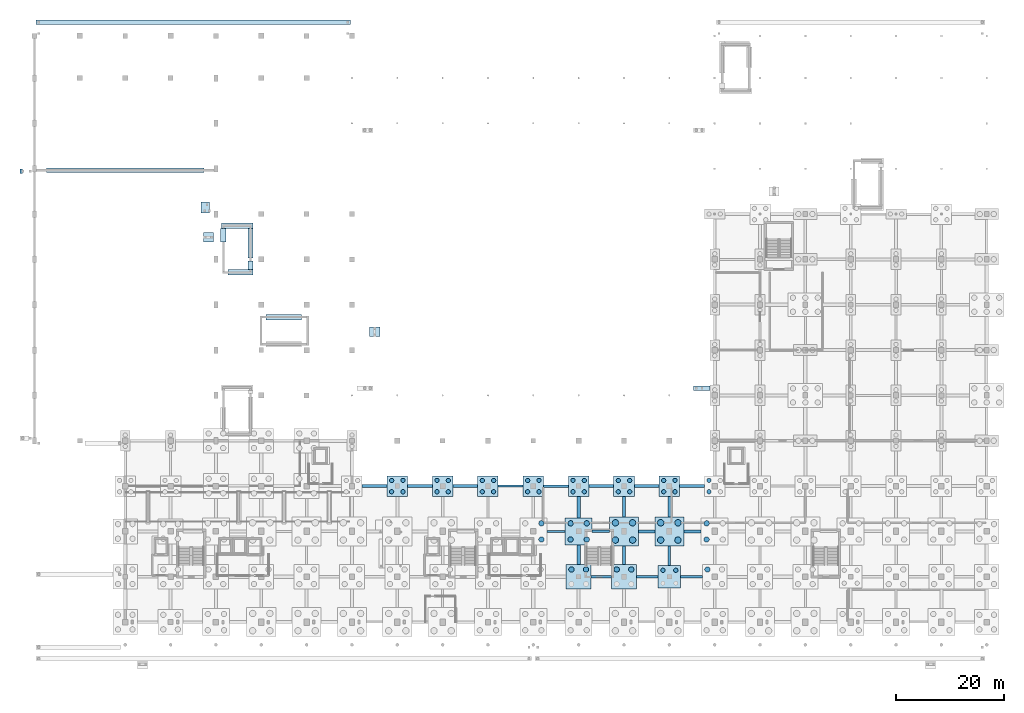
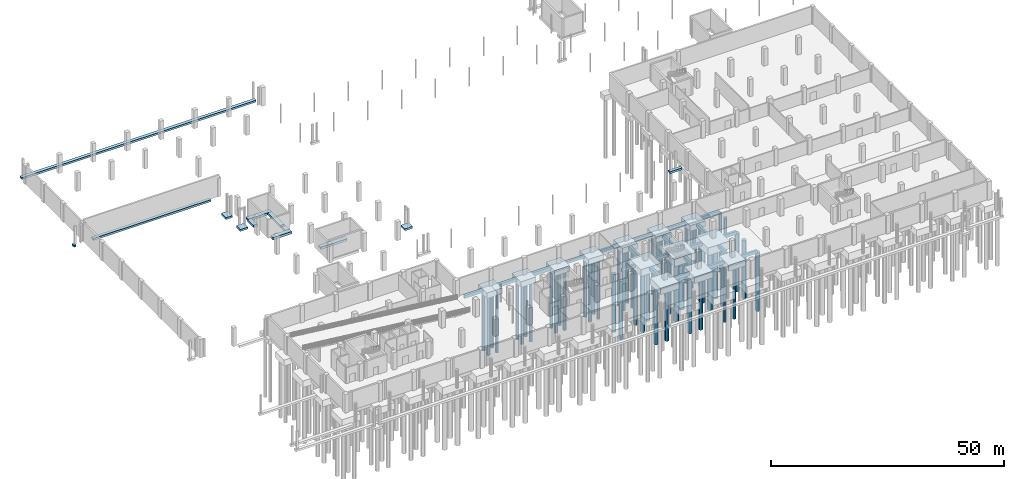
# One storey, part 4 of 39: 53 piles, 47 footings.
"""IFC4 building model written with IfcOpenShell, lengths in metres."""

from ifc_helpers import new_model, si_unit, derived_unit, direction, frame, origin, origin_2d, place, context, subcontext, project, spatial, polyline, rectangle, circle, outline, extrude, material, material_profile, profile_set, type_object, element, save


model = new_model("IFC4")

# Units and contexts
model_context = context("Model", 3, precision=1e-05, world=origin(), true_north=direction((0.0, 1.0)))
body_context = subcontext(model_context, "Body", "Model", "MODEL_VIEW")
ifc_project = project(units=[si_unit("LENGTHUNIT", "METRE"), si_unit("AREAUNIT", "SQUARE_METRE"), si_unit("VOLUMEUNIT", "CUBIC_METRE"), si_unit("PLANEANGLEUNIT", "RADIAN"), si_unit("MASSUNIT", "GRAM", prefix="KILO"), derived_unit("THERMALTRANSMITTANCEUNIT", [(si_unit("POWERUNIT", "WATT"), 1), (si_unit("LENGTHUNIT", "METRE"), -2), (si_unit("THERMODYNAMICTEMPERATUREUNIT", "KELVIN"), -1)])], contexts=[model_context])

# Site, building, storey
site_placement = place(None, origin())
site = spatial("IfcSite", under=ifc_project, at=site_placement, CompositionType="ELEMENT")
building_placement = place(site_placement, origin())
building = spatial("IfcBuilding", under=site, at=building_placement, Name="Barrovel Congress Hotel", CompositionType="ELEMENT")
storey_placement = place(building_placement, frame((0.0, 0.0, -4.5)))
storey = spatial("IfcBuildingStorey", under=building, at=storey_placement, Name="B01", CompositionType="ELEMENT", Elevation=-4.5)

# Footings
ifc_material_1 = material(Name="Concrete C40", Category="concrete")
footing_type_1 = type_object("IfcFootingType", Name="CAP-PC-07", PredefinedType="PILE_CAP", material=ifc_material_1)
for number, where, z_axis, x_axis, name in (
    (1, (67.199951171875, 29.39990234375, -1.860107421875), (0.0, 0.0, 1.0), (1.0, 0.0, 0.0), "CAP:B01:67.2:29.4"),
    (2, (75.60009765625, 29.39990234375, -1.860107421875), (0.0, 0.0, 1.0), (1.0, 0.0, 0.0), "CAP:B01:75.6:29.4"),
    (3, (84.0, 29.39990234375, -1.860107421875), (0.0, 0.0, 1.0), (1.0, 0.0, 0.0), "CAP:B01:84.0:29.4"),
    (4, (92.39990234375, 29.39990234375, -1.860107421875), (0.0, 0.0, 1.0), (1.0, 0.0, 0.0), "CAP:B01:92.4:29.4"),
    (5, (100.800048828125, 29.39990234375, -1.860107421875), (0.0, 0.0, 1.0), (1.0, 0.0, 0.0), "CAP:B01:100.8:29.4"),
    (6, (109.199951171875, 29.39990234375, -1.860107421875), (0.0, 0.0, 1.0), (1.0, 0.0, 0.0), "CAP:B01:109.2:29.4"),
    (7, (117.60009765625, 29.39990234375, -1.860107421875), (0.0, 0.0, 1.0), (1.0, 0.0, 0.0), "CAP:B01:117.6:29.4"),
):
    element("IfcFooting", number, at=place(storey_placement, frame(where, z_axis=z_axis, x_axis=x_axis)), inside=storey, type_object=footing_type_1, Name=name, PredefinedType="PILE_CAP", context=body_context, shape_type="SweptSolid", body=[
        extrude(rectangle(XDim=3.800048828125, YDim=3.800048828125, at=origin_2d()), origin(), (0.0, 0.0, 1.0), 1.5),
    ])
footing_type_2 = type_object("IfcFootingType", Name="CAP-PC-08", PredefinedType="PILE_CAP", material=ifc_material_1)
footing_1_placement = place(storey_placement, frame((117.60009765625, 12.60009765625, -1.9599609375), z_axis=(0.0, 0.0, 1.0), x_axis=(1.0, 0.0, 0.0)))
element("IfcFooting", 8, at=footing_1_placement, inside=storey, type_object=footing_type_2, Name="CAP:B01:117.6:12.6", PredefinedType="PILE_CAP", context=body_context, shape_type="SweptSolid", body=[
    extrude(rectangle(XDim=4.199951171875, YDim=4.199951171875, at=origin_2d()), origin(), (0.0, 0.0, 1.0), 1.60009765625),
])
footing_type_3 = type_object("IfcFootingType", Name="CAP-PC-09", PredefinedType="PILE_CAP", material=ifc_material_1)
for number, where, z_axis, x_axis, name in (
    (9, (100.800048828125, 12.60009765625, -2.06005859375), (0.0, 0.0, 1.0), (1.0, 0.0, 0.0), "CAP:B01:100.8:12.6"),
    (10, (109.199951171875, 12.60009765625, -2.06005859375), (0.0, 0.0, 1.0), (1.0, 0.0, 0.0), "CAP:B01:109.2:12.6"),
):
    element("IfcFooting", number, at=place(storey_placement, frame(where, z_axis=z_axis, x_axis=x_axis)), inside=storey, type_object=footing_type_3, Name=name, PredefinedType="PILE_CAP", context=body_context, shape_type="SweptSolid", body=[
        extrude(rectangle(XDim=4.60009765625, YDim=4.60009765625, at=origin_2d()), origin(), (0.0, 0.0, 1.0), 1.699951171875),
    ])
footing_type_4 = type_object("IfcFootingType", Name="CAP-PC-10", PredefinedType="PILE_CAP", material=ifc_material_1)
footing_2_placement = place(storey_placement, frame((100.800048828125, 21.0, -2.16015625), z_axis=(0.0, 0.0, 1.0), x_axis=(1.0, 0.0, 0.0)))
element("IfcFooting", 11, at=footing_2_placement, inside=storey, type_object=footing_type_4, Name="CAP:B01:100.8:21.0", PredefinedType="PILE_CAP", context=body_context, shape_type="SweptSolid", body=[
    extrude(rectangle(XDim=5.0, YDim=5.0, at=origin_2d()), origin(), (0.0, 0.0, 1.0), 1.800048828125),
])
footing_type_5 = type_object("IfcFootingType", Name="CAP-PC-11", PredefinedType="PILE_CAP", material=ifc_material_1)
for number, where, z_axis, x_axis, name in (
    (12, (109.199951171875, 21.0, -2.360107421875), (0.0, 0.0, 1.0), (1.0, 0.0, 0.0), "CAP:B01:109.2:21.0"),
    (13, (117.60009765625, 21.0, -2.360107421875), (0.0, 0.0, 1.0), (1.0, 0.0, 0.0), "CAP:B01:117.6:21.0"),
):
    element("IfcFooting", number, at=place(storey_placement, frame(where, z_axis=z_axis, x_axis=x_axis)), inside=storey, type_object=footing_type_5, Name=name, PredefinedType="PILE_CAP", context=body_context, shape_type="SweptSolid", body=[
        extrude(rectangle(XDim=5.39990234375, YDim=5.39990234375, at=origin_2d()), origin(), (0.0, 0.0, 1.0), 2.0),
    ])
footing_type_6 = type_object("IfcFootingType", Name="FB-400x700", PredefinedType="FOOTING_BEAM", material=ifc_material_1)
footing_3_placement = place(storey_placement, frame((0.0, 0.0, -1.06005859375)))
element("IfcFooting", 14, at=footing_3_placement, inside=storey, type_object=footing_type_6, Name="FBX:B01:12.6:100.8-109.2", PredefinedType="FOOTING_BEAM", context=body_context, shape_type="SweptSolid", body=[
    extrude(outline(polyline([(103.10009765625, 12.39990234375), (106.89990234375, 12.39990234375), (106.89990234375, 12.800048828125), (103.10009765625, 12.800048828125), (103.10009765625, 12.39990234375)])), origin(), (0.0, 0.0, 1.0), 0.699951171875),
])
footing_4_placement = place(storey_placement, frame((0.0, 0.0, -1.06005859375)))
element("IfcFooting", 15, at=footing_4_placement, inside=storey, type_object=footing_type_6, Name="FBX:B01:21.0:92.4-100.8", PredefinedType="FOOTING_BEAM", context=body_context, shape_type="SweptSolid", body=[
    extrude(outline(polyline([(94.89990234375, 20.800048828125), (98.300048828125, 20.800048828125), (98.300048828125, 21.199951171875), (94.89990234375, 21.199951171875), (94.89990234375, 20.800048828125)])), origin(), (0.0, 0.0, 1.0), 0.699951171875),
])
footing_5_placement = place(storey_placement, frame((0.0, 0.0, -1.06005859375)))
element("IfcFooting", 16, at=footing_5_placement, inside=storey, type_object=footing_type_6, Name="FBX:B01:29.4:84.0-92.4", PredefinedType="FOOTING_BEAM", context=body_context, shape_type="SweptSolid", body=[
    extrude(outline(polyline([(85.89990234375, 29.199951171875), (90.5, 29.199951171875), (90.5, 29.60009765625), (85.89990234375, 29.60009765625), (85.89990234375, 29.199951171875)])), origin(), (0.0, 0.0, 1.0), 0.699951171875),
])
footing_type_7 = type_object("IfcFootingType", Name="FB-450x750", PredefinedType="FOOTING_BEAM", material=ifc_material_1)
footing_6_placement = place(storey_placement, frame((0.0, 0.0, -1.110107421875)))
element("IfcFooting", 17, at=footing_6_placement, inside=storey, type_object=footing_type_7, Name="FBX:B01:12.6:109.2-117.6", PredefinedType="FOOTING_BEAM", context=body_context, shape_type="SweptSolid", body=[
    extrude(outline(polyline([(111.5, 12.375), (115.5, 12.375), (115.5, 12.824951171875), (111.5, 12.824951171875), (111.5, 12.375)])), origin(), (0.0, 0.0, 1.0), 0.75),
])
footing_7_placement = place(storey_placement, frame((0.0, 0.0, -1.110107421875)))
element("IfcFooting", 18, at=footing_7_placement, inside=storey, type_object=footing_type_7, Name="FBX:B01:21.0:100.8-109.2", PredefinedType="FOOTING_BEAM", context=body_context, shape_type="SweptSolid", body=[
    extrude(outline(polyline([(103.300048828125, 20.77490234375), (106.5, 20.77490234375), (106.5, 21.22509765625), (103.300048828125, 21.22509765625), (103.300048828125, 20.77490234375)])), origin(), (0.0, 0.0, 1.0), 0.75),
])
footing_8_placement = place(storey_placement, frame((0.0, 0.0, -1.110107421875)))
element("IfcFooting", 19, at=footing_8_placement, inside=storey, type_object=footing_type_7, Name="FBX:B01:29.4:92.4-100.8", PredefinedType="FOOTING_BEAM", context=body_context, shape_type="SweptSolid", body=[
    extrude(outline(polyline([(94.300048828125, 29.175048828125), (98.89990234375, 29.175048828125), (98.89990234375, 29.625), (94.300048828125, 29.625), (94.300048828125, 29.175048828125)])), origin(), (0.0, 0.0, 1.0), 0.75),
])
footing_type_8 = type_object("IfcFootingType", Name="FB-500x800", PredefinedType="FOOTING_BEAM", material=ifc_material_1)
footing_9_placement = place(storey_placement, frame((0.0, 0.0, -1.159912109375)))
element("IfcFooting", 20, at=footing_9_placement, inside=storey, type_object=footing_type_8, Name="FBX:B01:12.6:117.6-126.0", PredefinedType="FOOTING_BEAM", context=body_context, shape_type="SweptSolid", body=[
    extrude(outline(polyline([(119.699951171875, 12.35009765625), (123.699951171875, 12.35009765625), (123.699951171875, 12.85009765625), (119.699951171875, 12.85009765625), (119.699951171875, 12.35009765625)])), origin(), (0.0, 0.0, 1.0), 0.7998046875),
])
footing_10_placement = place(storey_placement, frame((0.0, 0.0, -1.159912109375)))
element("IfcFooting", 21, at=footing_10_placement, inside=storey, type_object=footing_type_8, Name="FBX:B01:21.0:109.2-117.6", PredefinedType="FOOTING_BEAM", context=body_context, shape_type="SweptSolid", body=[
    extrude(outline(polyline([(111.89990234375, 20.75), (114.89990234375, 20.75), (114.89990234375, 21.25), (111.89990234375, 21.25), (111.89990234375, 20.75)])), origin(), (0.0, 0.0, 1.0), 0.7998046875),
])
footing_11_placement = place(storey_placement, frame((0.0, 0.0, -1.159912109375)))
element("IfcFooting", 22, at=footing_11_placement, inside=storey, type_object=footing_type_8, Name="FBX:B01:29.4:100.8-109.2", PredefinedType="FOOTING_BEAM", context=body_context, shape_type="SweptSolid", body=[
    extrude(outline(polyline([(102.699951171875, 29.14990234375), (107.300048828125, 29.14990234375), (107.300048828125, 29.64990234375), (102.699951171875, 29.64990234375), (102.699951171875, 29.14990234375)])), origin(), (0.0, 0.0, 1.0), 0.7998046875),
])
footing_12_placement = place(storey_placement, frame((0.0, 0.0, -1.159912109375)))
element("IfcFooting", 23, at=footing_12_placement, inside=storey, type_object=footing_type_8, Name="FBY:B01:117.6:12.6-21.0", PredefinedType="FOOTING_BEAM", context=body_context, shape_type="SweptSolid", body=[
    extrude(outline(polyline([(117.35009765625, 14.699951171875), (117.85009765625, 14.699951171875), (117.85009765625, 18.300048828125), (117.35009765625, 18.300048828125), (117.35009765625, 14.699951171875)])), origin(), (0.0, 0.0, 1.0), 0.7998046875),
])
footing_type_9 = type_object("IfcFootingType", Name="FB-550x850", PredefinedType="FOOTING_BEAM", material=ifc_material_1)
footing_13_placement = place(storey_placement, frame((0.0, 0.0, -1.2099609375)))
element("IfcFooting", 24, at=footing_13_placement, inside=storey, type_object=footing_type_9, Name="FBX:B01:21.0:117.6-126.0", PredefinedType="FOOTING_BEAM", context=body_context, shape_type="SweptSolid", body=[
    extrude(outline(polyline([(120.300048828125, 20.72509765625), (123.5, 20.72509765625), (123.5, 21.27490234375), (120.300048828125, 21.27490234375), (120.300048828125, 20.72509765625)])), origin(), (0.0, 0.0, 1.0), 0.849853515625),
])
footing_14_placement = place(storey_placement, frame((0.0, 0.0, -1.2099609375)))
element("IfcFooting", 25, at=footing_14_placement, inside=storey, type_object=footing_type_9, Name="FBX:B01:29.4:58.8-67.2", PredefinedType="FOOTING_BEAM", context=body_context, shape_type="SweptSolid", body=[
    extrude(outline(polyline([(60.699951171875, 29.125), (65.300048828125, 29.125), (65.300048828125, 29.675048828125), (60.699951171875, 29.675048828125), (60.699951171875, 29.125)])), origin(), (0.0, 0.0, 1.0), 0.849853515625),
])
footing_15_placement = place(storey_placement, frame((0.0, 0.0, -1.2099609375)))
element("IfcFooting", 26, at=footing_15_placement, inside=storey, type_object=footing_type_9, Name="FBX:B01:29.4:109.2-117.6", PredefinedType="FOOTING_BEAM", context=body_context, shape_type="SweptSolid", body=[
    extrude(outline(polyline([(111.10009765625, 29.125), (115.699951171875, 29.125), (115.699951171875, 29.675048828125), (111.10009765625, 29.675048828125), (111.10009765625, 29.125)])), origin(), (0.0, 0.0, 1.0), 0.849853515625),
])
footing_16_placement = place(storey_placement, frame((0.0, 0.0, -1.2099609375)))
element("IfcFooting", 27, at=footing_16_placement, inside=storey, type_object=footing_type_9, Name="FBY:B01:109.2:12.6-21.0", PredefinedType="FOOTING_BEAM", context=body_context, shape_type="SweptSolid", body=[
    extrude(outline(polyline([(108.925048828125, 14.89990234375), (109.47509765625, 14.89990234375), (109.47509765625, 18.300048828125), (108.925048828125, 18.300048828125), (108.925048828125, 14.89990234375)])), origin(), (0.0, 0.0, 1.0), 0.849853515625),
])
footing_17_placement = place(storey_placement, frame((0.0, 0.0, -1.2099609375)))
element("IfcFooting", 28, at=footing_17_placement, inside=storey, type_object=footing_type_9, Name="FBY:B01:117.6:21.0-29.4", PredefinedType="FOOTING_BEAM", context=body_context, shape_type="SweptSolid", body=[
    extrude(outline(polyline([(117.324951171875, 23.699951171875), (117.875, 23.699951171875), (117.875, 27.5), (117.324951171875, 27.5), (117.324951171875, 23.699951171875)])), origin(), (0.0, 0.0, 1.0), 0.849853515625),
])
footing_type_10 = type_object("IfcFootingType", Name="FB-600x850", PredefinedType="FOOTING_BEAM", material=ifc_material_1)
footing_18_placement = place(storey_placement, frame((0.0, 0.0, -1.2099609375)))
element("IfcFooting", 29, at=footing_18_placement, inside=storey, type_object=footing_type_10, Name="FBX:B01:29.4:67.2-75.6", PredefinedType="FOOTING_BEAM", context=body_context, shape_type="SweptSolid", body=[
    extrude(outline(polyline([(69.10009765625, 29.10009765625), (73.699951171875, 29.10009765625), (73.699951171875, 29.699951171875), (69.10009765625, 29.699951171875), (69.10009765625, 29.10009765625)])), origin(), (0.0, 0.0, 1.0), 0.849853515625),
])
footing_19_placement = place(storey_placement, frame((0.0, 0.0, -1.2099609375)))
element("IfcFooting", 30, at=footing_19_placement, inside=storey, type_object=footing_type_10, Name="FBX:B01:29.4:117.6-126.0", PredefinedType="FOOTING_BEAM", context=body_context, shape_type="SweptSolid", body=[
    extrude(outline(polyline([(119.5, 29.10009765625), (124.10009765625, 29.10009765625), (124.10009765625, 29.699951171875), (119.5, 29.699951171875), (119.5, 29.10009765625)])), origin(), (0.0, 0.0, 1.0), 0.849853515625),
])
footing_20_placement = place(storey_placement, frame((0.0, 0.0, -1.2099609375)))
element("IfcFooting", 31, at=footing_20_placement, inside=storey, type_object=footing_type_10, Name="FBY:B01:100.8:12.6-21.0", PredefinedType="FOOTING_BEAM", context=body_context, shape_type="SweptSolid", body=[
    extrude(outline(polyline([(100.5, 14.89990234375), (101.10009765625, 14.89990234375), (101.10009765625, 18.5), (100.5, 18.5), (100.5, 14.89990234375)])), origin(), (0.0, 0.0, 1.0), 0.849853515625),
])
footing_21_placement = place(storey_placement, frame((0.0, 0.0, -1.2099609375)))
element("IfcFooting", 32, at=footing_21_placement, inside=storey, type_object=footing_type_10, Name="FBY:B01:109.2:21.0-29.4", PredefinedType="FOOTING_BEAM", context=body_context, shape_type="SweptSolid", body=[
    extrude(outline(polyline([(108.89990234375, 23.699951171875), (109.5, 23.699951171875), (109.5, 27.5), (108.89990234375, 27.5), (108.89990234375, 23.699951171875)])), origin(), (0.0, 0.0, 1.0), 0.849853515625),
])
footing_type_11 = type_object("IfcFootingType", Name="FB-600x950", PredefinedType="FOOTING_BEAM", material=ifc_material_1)
footing_22_placement = place(storey_placement, frame((0.0, 0.0, -1.31005859375)))
element("IfcFooting", 33, at=footing_22_placement, inside=storey, type_object=footing_type_11, Name="FBX:B01:29.4:75.6-84.0", PredefinedType="FOOTING_BEAM", context=body_context, shape_type="SweptSolid", body=[
    extrude(outline(polyline([(77.5, 29.10009765625), (82.10009765625, 29.10009765625), (82.10009765625, 29.699951171875), (77.5, 29.699951171875), (77.5, 29.10009765625)])), origin(), (0.0, 0.0, 1.0), 0.949951171875),
])
footing_23_placement = place(storey_placement, frame((0.0, 0.0, -1.31005859375)))
element("IfcFooting", 34, at=footing_23_placement, inside=storey, type_object=footing_type_11, Name="FBY:B01:100.8:21.0-29.4", PredefinedType="FOOTING_BEAM", context=body_context, shape_type="SweptSolid", body=[
    extrude(outline(polyline([(100.5, 23.5), (101.10009765625, 23.5), (101.10009765625, 27.5), (100.5, 27.5), (100.5, 23.5)])), origin(), (0.0, 0.0, 1.0), 0.949951171875),
])

# Piles
ifc_material_2 = material(Name="Concrete C35", Category="concrete")
ifc_material_profile_1 = material_profile(ifc_material_2, circle(Radius=0.5, at=origin_2d()), Name="BP-D1000")
ifc_profile_set_1 = profile_set([ifc_material_profile_1], Name="Concrete C35")
pile_type_1 = type_object("IfcPileType", Name="PILE-BP-D1000", PredefinedType="BORED", material=ifc_profile_set_1)
for number, where, z_axis, x_axis, name in (
    (35, (93.89990234375, 19.5, -2.159912109375), (0.0, 0.0, -1.0), (1.0, 0.0, 0.0), "PILE:B01:92.4:21.0:2"),
    (36, (93.89990234375, 22.5, -2.159912109375), (0.0, 0.0, -1.0), (1.0, 0.0, 0.0), "PILE:B01:92.4:21.0:4"),
):
    element("IfcPile", number, at=place(storey_placement, frame(where, z_axis=z_axis, x_axis=x_axis)), inside=storey, type_object=pile_type_1, Name=name, PredefinedType="BORED", context=body_context, shape_type="SweptSolid", body=[
        extrude(circle(Radius=0.5, at=origin_2d()), origin(), (0.0, 0.0, 1.0), 15.239990234375),
    ])
for number, where, z_axis, x_axis, name in (
    (37, (99.449951171875, 13.949951171875, -2.06005859375), (0.0, 0.0, -1.0), (1.0, 0.0, 0.0), "PILE:B01:100.8:12.6:3"),
    (38, (102.14990234375, 13.949951171875, -2.06005859375), (0.0, 0.0, -1.0), (1.0, 0.0, 0.0), "PILE:B01:100.8:12.6:4"),
):
    element("IfcPile", number, at=place(storey_placement, frame(where, z_axis=z_axis, x_axis=x_axis)), inside=storey, type_object=pile_type_1, Name=name, PredefinedType="BORED", context=body_context, shape_type="SweptSolid", body=[
        extrude(circle(Radius=0.5, at=origin_2d()), origin(), (0.0, 0.0, 1.0), 15.340087890625),
    ])
for number, where, z_axis, x_axis, name in (
    (39, (99.300048828125, 19.5, -2.159912109375), (0.0, 0.0, -1.0), (1.0, 0.0, 0.0), "PILE:B01:100.8:21.0:1"),
    (40, (102.300048828125, 19.5, -2.159912109375), (0.0, 0.0, -1.0), (1.0, 0.0, 0.0), "PILE:B01:100.8:21.0:2"),
    (41, (99.300048828125, 22.5, -2.159912109375), (0.0, 0.0, -1.0), (1.0, 0.0, 0.0), "PILE:B01:100.8:21.0:3"),
    (42, (102.300048828125, 22.5, -2.159912109375), (0.0, 0.0, -1.0), (1.0, 0.0, 0.0), "PILE:B01:100.8:21.0:4"),
):
    element("IfcPile", number, at=place(storey_placement, frame(where, z_axis=z_axis, x_axis=x_axis)), inside=storey, type_object=pile_type_1, Name=name, PredefinedType="BORED", context=body_context, shape_type="SweptSolid", body=[
        extrude(circle(Radius=0.5, at=origin_2d()), origin(), (0.0, 0.0, 1.0), 15.239990234375),
    ])
for number, where, z_axis, x_axis, name in (
    (43, (107.85009765625, 13.949951171875, -2.06005859375), (0.0, 0.0, -1.0), (1.0, 0.0, 0.0), "PILE:B01:109.2:12.6:3"),
    (44, (110.550048828125, 13.949951171875, -2.06005859375), (0.0, 0.0, -1.0), (1.0, 0.0, 0.0), "PILE:B01:109.2:12.6:4"),
    (45, (124.64990234375, 13.949951171875, -2.06005859375), (0.0, 0.0, -1.0), (1.0, 0.0, 0.0), "PILE:B01:126.0:12.6:3"),
):
    element("IfcPile", number, at=place(storey_placement, frame(where, z_axis=z_axis, x_axis=x_axis)), inside=storey, type_object=pile_type_1, Name=name, PredefinedType="BORED", context=body_context, shape_type="SweptSolid", body=[
        extrude(circle(Radius=0.5, at=origin_2d()), origin(), (0.0, 0.0, 1.0), 15.340087890625),
    ])
for number, where, z_axis, x_axis, name in (
    (46, (124.5, 19.5, -2.159912109375), (0.0, 0.0, -1.0), (1.0, 0.0, 0.0), "PILE:B01:126.0:21.0:1"),
    (47, (124.5, 22.5, -2.159912109375), (0.0, 0.0, -1.0), (1.0, 0.0, 0.0), "PILE:B01:126.0:21.0:3"),
):
    element("IfcPile", number, at=place(storey_placement, frame(where, z_axis=z_axis, x_axis=x_axis)), inside=storey, type_object=pile_type_1, Name=name, PredefinedType="BORED", context=body_context, shape_type="SweptSolid", body=[
        extrude(circle(Radius=0.5, at=origin_2d()), origin(), (0.0, 0.0, 1.0), 15.239990234375),
    ])
ifc_material_profile_2 = material_profile(ifc_material_2, circle(Radius=0.60009765625, at=origin_2d()), Name="BP-D1200")
ifc_profile_set_2 = profile_set([ifc_material_profile_2], Name="Concrete C35")
pile_type_2 = type_object("IfcPileType", Name="PILE-BP-D1200", PredefinedType="BORED", material=ifc_profile_set_2)
for number, where, z_axis, x_axis, name in (
    (48, (107.60009765625, 19.39990234375, -2.360107421875), (0.0, 0.0, -1.0), (1.0, 0.0, 0.0), "PILE:B01:109.2:21.0:1"),
    (49, (110.800048828125, 19.39990234375, -2.360107421875), (0.0, 0.0, -1.0), (1.0, 0.0, 0.0), "PILE:B01:109.2:21.0:2"),
    (50, (107.60009765625, 22.60009765625, -2.360107421875), (0.0, 0.0, -1.0), (1.0, 0.0, 0.0), "PILE:B01:109.2:21.0:3"),
    (51, (110.800048828125, 22.60009765625, -2.360107421875), (0.0, 0.0, -1.0), (1.0, 0.0, 0.0), "PILE:B01:109.2:21.0:4"),
    (52, (116.0, 19.39990234375, -2.360107421875), (0.0, 0.0, -1.0), (1.0, 0.0, 0.0), "PILE:B01:117.6:21.0:1"),
    (53, (119.199951171875, 19.39990234375, -2.360107421875), (0.0, 0.0, -1.0), (1.0, 0.0, 0.0), "PILE:B01:117.6:21.0:2"),
    (54, (116.0, 22.60009765625, -2.360107421875), (0.0, 0.0, -1.0), (1.0, 0.0, 0.0), "PILE:B01:117.6:21.0:3"),
    (55, (119.199951171875, 22.60009765625, -2.360107421875), (0.0, 0.0, -1.0), (1.0, 0.0, 0.0), "PILE:B01:117.6:21.0:4"),
):
    element("IfcPile", number, at=place(storey_placement, frame(where, z_axis=z_axis, x_axis=x_axis)), inside=storey, type_object=pile_type_2, Name=name, PredefinedType="BORED", context=body_context, shape_type="SweptSolid", body=[
        extrude(circle(Radius=0.60009765625, at=origin_2d()), origin(), (0.0, 0.0, 1.0), 15.0400390625),
    ])
ifc_material_profile_3 = material_profile(ifc_material_2, circle(Radius=0.39990234375, at=origin_2d()), Name="BP-D800")
ifc_profile_set_3 = profile_set([ifc_material_profile_3], Name="Concrete C35")
pile_type_3 = type_object("IfcPileType", Name="PILE-BP-D800", PredefinedType="BORED", material=ifc_profile_set_3)
for number, where, z_axis, x_axis, name in (
    (56, (66.14990234375, 28.35009765625, -1.860107421875), (0.0, 0.0, -1.0), (1.0, 0.0, 0.0), "PILE:B01:67.2:29.4:1"),
    (57, (68.25, 28.35009765625, -1.860107421875), (0.0, 0.0, -1.0), (1.0, 0.0, 0.0), "PILE:B01:67.2:29.4:2"),
    (58, (66.14990234375, 30.449951171875, -1.860107421875), (0.0, 0.0, -1.0), (1.0, 0.0, 0.0), "PILE:B01:67.2:29.4:3"),
    (59, (68.25, 30.449951171875, -1.860107421875), (0.0, 0.0, -1.0), (1.0, 0.0, 0.0), "PILE:B01:67.2:29.4:4"),
    (60, (74.550048828125, 28.35009765625, -1.860107421875), (0.0, 0.0, -1.0), (1.0, 0.0, 0.0), "PILE:B01:75.6:29.4:1"),
    (61, (76.64990234375, 28.35009765625, -1.860107421875), (0.0, 0.0, -1.0), (1.0, 0.0, 0.0), "PILE:B01:75.6:29.4:2"),
    (62, (74.550048828125, 30.449951171875, -1.860107421875), (0.0, 0.0, -1.0), (1.0, 0.0, 0.0), "PILE:B01:75.6:29.4:3"),
    (63, (76.64990234375, 30.449951171875, -1.860107421875), (0.0, 0.0, -1.0), (1.0, 0.0, 0.0), "PILE:B01:75.6:29.4:4"),
    (64, (82.949951171875, 28.35009765625, -1.860107421875), (0.0, 0.0, -1.0), (1.0, 0.0, 0.0), "PILE:B01:84.0:29.4:1"),
    (65, (85.050048828125, 28.35009765625, -1.860107421875), (0.0, 0.0, -1.0), (1.0, 0.0, 0.0), "PILE:B01:84.0:29.4:2"),
    (66, (82.949951171875, 30.449951171875, -1.860107421875), (0.0, 0.0, -1.0), (1.0, 0.0, 0.0), "PILE:B01:84.0:29.4:3"),
    (67, (85.050048828125, 30.449951171875, -1.860107421875), (0.0, 0.0, -1.0), (1.0, 0.0, 0.0), "PILE:B01:84.0:29.4:4"),
    (68, (91.35009765625, 28.35009765625, -1.860107421875), (0.0, 0.0, -1.0), (1.0, 0.0, 0.0), "PILE:B01:92.4:29.4:1"),
    (69, (93.449951171875, 28.35009765625, -1.860107421875), (0.0, 0.0, -1.0), (1.0, 0.0, 0.0), "PILE:B01:92.4:29.4:2"),
    (70, (91.35009765625, 30.449951171875, -1.860107421875), (0.0, 0.0, -1.0), (1.0, 0.0, 0.0), "PILE:B01:92.4:29.4:3"),
    (71, (93.449951171875, 30.449951171875, -1.860107421875), (0.0, 0.0, -1.0), (1.0, 0.0, 0.0), "PILE:B01:92.4:29.4:4"),
    (72, (99.75, 28.35009765625, -1.860107421875), (0.0, 0.0, -1.0), (1.0, 0.0, 0.0), "PILE:B01:100.8:29.4:1"),
    (73, (101.85009765625, 28.35009765625, -1.860107421875), (0.0, 0.0, -1.0), (1.0, 0.0, 0.0), "PILE:B01:100.8:29.4:2"),
    (74, (99.75, 30.449951171875, -1.860107421875), (0.0, 0.0, -1.0), (1.0, 0.0, 0.0), "PILE:B01:100.8:29.4:3"),
    (75, (101.85009765625, 30.449951171875, -1.860107421875), (0.0, 0.0, -1.0), (1.0, 0.0, 0.0), "PILE:B01:100.8:29.4:4"),
    (76, (108.14990234375, 28.35009765625, -1.860107421875), (0.0, 0.0, -1.0), (1.0, 0.0, 0.0), "PILE:B01:109.2:29.4:1"),
    (77, (110.25, 28.35009765625, -1.860107421875), (0.0, 0.0, -1.0), (1.0, 0.0, 0.0), "PILE:B01:109.2:29.4:2"),
    (78, (108.14990234375, 30.449951171875, -1.860107421875), (0.0, 0.0, -1.0), (1.0, 0.0, 0.0), "PILE:B01:109.2:29.4:3"),
    (79, (110.25, 30.449951171875, -1.860107421875), (0.0, 0.0, -1.0), (1.0, 0.0, 0.0), "PILE:B01:109.2:29.4:4"),
):
    element("IfcPile", number, at=place(storey_placement, frame(where, z_axis=z_axis, x_axis=x_axis)), inside=storey, type_object=pile_type_3, Name=name, PredefinedType="BORED", context=body_context, shape_type="SweptSolid", body=[
        extrude(circle(Radius=0.39990234375, at=origin_2d()), origin(), (0.0, 0.0, 1.0), 15.5400390625),
    ])
for number, where, z_axis, x_axis, name in (
    (80, (116.39990234375, 13.800048828125, -1.9599609375), (0.0, 0.0, -1.0), (1.0, 0.0, 0.0), "PILE:B01:117.6:12.6:3"),
    (81, (118.800048828125, 13.800048828125, -1.9599609375), (0.0, 0.0, -1.0), (1.0, 0.0, 0.0), "PILE:B01:117.6:12.6:4"),
):
    element("IfcPile", number, at=place(storey_placement, frame(where, z_axis=z_axis, x_axis=x_axis)), inside=storey, type_object=pile_type_3, Name=name, PredefinedType="BORED", context=body_context, shape_type="SweptSolid", body=[
        extrude(circle(Radius=0.39990234375, at=origin_2d()), origin(), (0.0, 0.0, 1.0), 15.43994140625),
    ])
for number, where, z_axis, x_axis, name in (
    (82, (116.550048828125, 28.35009765625, -1.860107421875), (0.0, 0.0, -1.0), (1.0, 0.0, 0.0), "PILE:B01:117.6:29.4:1"),
    (83, (118.64990234375, 28.35009765625, -1.860107421875), (0.0, 0.0, -1.0), (1.0, 0.0, 0.0), "PILE:B01:117.6:29.4:2"),
    (84, (116.550048828125, 30.449951171875, -1.860107421875), (0.0, 0.0, -1.0), (1.0, 0.0, 0.0), "PILE:B01:117.6:29.4:3"),
    (85, (118.64990234375, 30.449951171875, -1.860107421875), (0.0, 0.0, -1.0), (1.0, 0.0, 0.0), "PILE:B01:117.6:29.4:4"),
    (86, (124.949951171875, 28.35009765625, -1.860107421875), (0.0, 0.0, -1.0), (1.0, 0.0, 0.0), "PILE:B01:126.0:29.4:1"),
    (87, (124.949951171875, 30.449951171875, -1.860107421875), (0.0, 0.0, -1.0), (1.0, 0.0, 0.0), "PILE:B01:126.0:29.4:3"),
):
    element("IfcPile", number, at=place(storey_placement, frame(where, z_axis=z_axis, x_axis=x_axis)), inside=storey, type_object=pile_type_3, Name=name, PredefinedType="BORED", context=body_context, shape_type="SweptSolid", body=[
        extrude(circle(Radius=0.39990234375, at=origin_2d()), origin(), (0.0, 0.0, 1.0), 15.5400390625),
    ])

# Footings
footing_type_12 = type_object("IfcFootingType", Name="SF-1000x600", PredefinedType="STRIP_FOOTING", material=ifc_material_1)
footing_24_placement = place(storey_placement, frame((0.0, 0.0, -0.9599609375)))
element("IfcFooting", 88, at=footing_24_placement, inside=storey, type_object=footing_type_12, Name="SF:CORE:XS-05:N", PredefinedType="STRIP_FOOTING", context=body_context, shape_type="SweptSolid", body=[
    extrude(outline(polyline([(42.909912109375, 60.2099609375), (49.489990234375, 60.2099609375), (49.489990234375, 61.2099609375), (42.909912109375, 61.2099609375), (42.909912109375, 60.2099609375)])), origin(), (0.0, 0.0, 1.0), 0.599853515625),
])
footing_25_placement = place(storey_placement, frame((0.0, 0.0, -0.9599609375)))
element("IfcFooting", 89, at=footing_25_placement, inside=storey, type_object=footing_type_12, Name="SF:CORE:XS-07:S", PredefinedType="STRIP_FOOTING", context=body_context, shape_type="SweptSolid", body=[
    extrude(outline(polyline([(35.81005859375, 68.489990234375), (40.510009765625, 68.489990234375), (40.510009765625, 69.489990234375), (35.81005859375, 69.489990234375), (35.81005859375, 68.489990234375)])), origin(), (0.0, 0.0, 1.0), 0.599853515625),
])
footing_26_placement = place(storey_placement, frame((0.0, 0.0, -0.9599609375)))
element("IfcFooting", 90, at=footing_26_placement, inside=storey, type_object=footing_type_12, Name="SF:CORE:XS-07:N", PredefinedType="STRIP_FOOTING", context=body_context, shape_type="SweptSolid", body=[
    extrude(outline(polyline([(34.659912109375, 77.14990234375), (40.510009765625, 77.14990234375), (40.510009765625, 78.14990234375), (34.659912109375, 78.14990234375), (34.659912109375, 77.14990234375)])), origin(), (0.0, 0.0, 1.0), 0.599853515625),
])
footing_27_placement = place(storey_placement, frame((0.0, 0.0, -0.9599609375)))
element("IfcFooting", 91, at=footing_27_placement, inside=storey, type_object=footing_type_12, Name="SF:CORE:XS-07:W", PredefinedType="STRIP_FOOTING", context=body_context, shape_type="SweptSolid", body=[
    extrude(outline(polyline([(34.489990234375, 74.610107421875), (35.489990234375, 74.610107421875), (35.489990234375, 77.139892578125), (34.489990234375, 77.139892578125), (34.489990234375, 74.610107421875)])), origin(), (0.0, 0.0, 1.0), 0.599853515625),
])
footing_28_placement = place(storey_placement, frame((0.0, 0.0, -0.9599609375)))
element("IfcFooting", 92, at=footing_28_placement, inside=storey, type_object=footing_type_12, Name="SF:CORE:XS-07:E:1", PredefinedType="STRIP_FOOTING", context=body_context, shape_type="SweptSolid", body=[
    extrude(outline(polyline([(39.510009765625, 69.5), (40.510009765625, 69.5), (40.510009765625, 71.114990234375), (39.510009765625, 71.114990234375), (39.510009765625, 69.5)])), origin(), (0.0, 0.0, 1.0), 0.599853515625),
])
footing_29_placement = place(storey_placement, frame((0.0, 0.0, -0.9599609375)))
element("IfcFooting", 93, at=footing_29_placement, inside=storey, type_object=footing_type_12, Name="SF:CORE:XS-07:E:2", PredefinedType="STRIP_FOOTING", context=body_context, shape_type="SweptSolid", body=[
    extrude(outline(polyline([(39.510009765625, 71.68505859375), (40.510009765625, 71.68505859375), (40.510009765625, 77.139892578125), (39.510009765625, 77.139892578125), (39.510009765625, 71.68505859375)])), origin(), (0.0, 0.0, 1.0), 0.599853515625),
])
footing_type_13 = type_object("IfcFootingType", Name="SF-800x500", PredefinedType="STRIP_FOOTING", material=ifc_material_1)
footing_30_placement = place(storey_placement, frame((0.0, 0.0, -0.860107421875)))
element("IfcFooting", 94, at=footing_30_placement, inside=storey, type_object=footing_type_13, Name="SF:V1-STAGE-FRONT", PredefinedType="STRIP_FOOTING", context=body_context, shape_type="SweptSolid", body=[
    extrude(outline(polyline([(2.2099609375, 87.5), (31.389892578125, 87.5), (31.389892578125, 88.300048828125), (2.2099609375, 88.300048828125), (2.2099609375, 87.5)])), origin(), (0.0, 0.0, 1.0), 0.5),
])
footing_31_placement = place(storey_placement, frame((0.0, 0.0, -0.860107421875)))
element("IfcFooting", 95, at=footing_31_placement, inside=storey, type_object=footing_type_13, Name="SF:PAV-WEST-NAVE:B", PredefinedType="STRIP_FOOTING", context=body_context, shape_type="SweptSolid", body=[
    extrude(outline(polyline([(-2.699951171875, 87.35009765625), (-2.2099609375, 87.35009765625), (-2.2099609375, 88.14990234375), (-2.699951171875, 88.14990234375), (-2.699951171875, 87.35009765625)])), origin(), (0.0, 0.0, 1.0), 0.5),
])
footing_32_placement = place(storey_placement, frame((0.0, 0.0, -0.860107421875)))
element("IfcFooting", 96, at=footing_32_placement, inside=storey, type_object=footing_type_13, Name="SF:PAV-NORTH-DOCK:B", PredefinedType="STRIP_FOOTING", context=body_context, shape_type="SweptSolid", body=[
    extrude(outline(polyline([(0.300048828125, 114.949951171875), (58.5, 114.949951171875), (58.5, 115.75), (0.300048828125, 115.75), (0.300048828125, 114.949951171875)])), origin(), (0.0, 0.0, 1.0), 0.5),
])
footing_33_placement = place(storey_placement, frame((0.0, 0.0, -0.860107421875)))
element("IfcFooting", 97, at=footing_33_placement, inside=storey, type_object=footing_type_13, Name="SF:PAV-COURT-WALK-E:A", PredefinedType="STRIP_FOOTING", context=body_context, shape_type="SweptSolid", body=[
    extrude(outline(polyline([(122.10009765625, 47.14990234375), (125.090087890625, 47.14990234375), (125.090087890625, 47.949951171875), (122.10009765625, 47.949951171875), (122.10009765625, 47.14990234375)])), origin(), (0.0, 0.0, 1.0), 0.5),
])
footing_34_placement = place(storey_placement, frame((0.0, 0.0, -0.860107421875)))
element("IfcFooting", 98, at=footing_34_placement, inside=storey, type_object=footing_type_13, Name="SF:RAMP:R-02:F1:1", PredefinedType="STRIP_FOOTING", context=body_context, shape_type="SweptSolid", body=[
    extrude(outline(polyline([(31.25, 74.64990234375), (33.14990234375, 74.64990234375), (33.14990234375, 76.35009765625), (31.25, 76.35009765625), (31.25, 74.64990234375)])), origin(), (0.0, 0.0, 1.0), 0.5),
])
footing_35_placement = place(storey_placement, frame((0.0, 0.0, -0.860107421875)))
element("IfcFooting", 99, at=footing_35_placement, inside=storey, type_object=footing_type_13, Name="SF:RAMP:R-02:LDG", PredefinedType="STRIP_FOOTING", context=body_context, shape_type="SweptSolid", body=[
    extrude(outline(polyline([(30.85009765625, 80.0), (32.449951171875, 80.0), (32.449951171875, 82.0), (30.85009765625, 82.0), (30.85009765625, 80.0)])), origin(), (0.0, 0.0, 1.0), 0.5),
])
footing_36_placement = place(storey_placement, frame((0.0, 0.0, -0.860107421875)))
element("IfcFooting", 100, at=footing_36_placement, inside=storey, type_object=footing_type_13, Name="SF:RAMP:R-05:F1:1", PredefinedType="STRIP_FOOTING", context=body_context, shape_type="SweptSolid", body=[
    extrude(outline(polyline([(62.050048828125, 57.14990234375), (63.949951171875, 57.14990234375), (63.949951171875, 58.85009765625), (62.050048828125, 58.85009765625), (62.050048828125, 57.14990234375)])), origin(), (0.0, 0.0, 1.0), 0.5),
])

save(model, "model.ifc")
